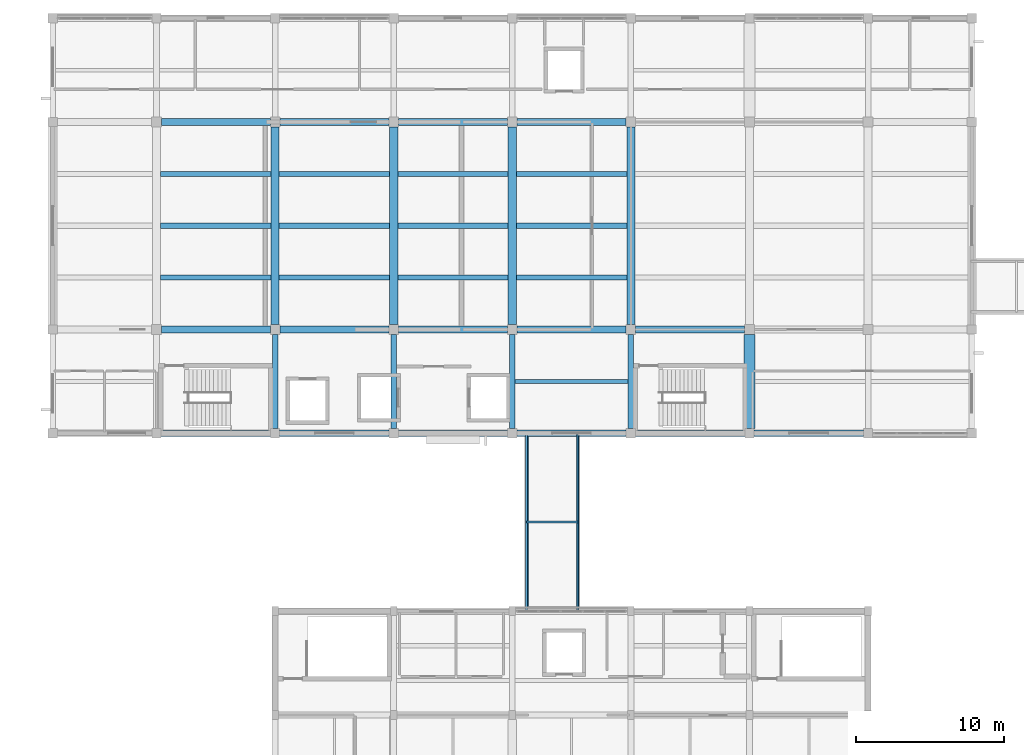
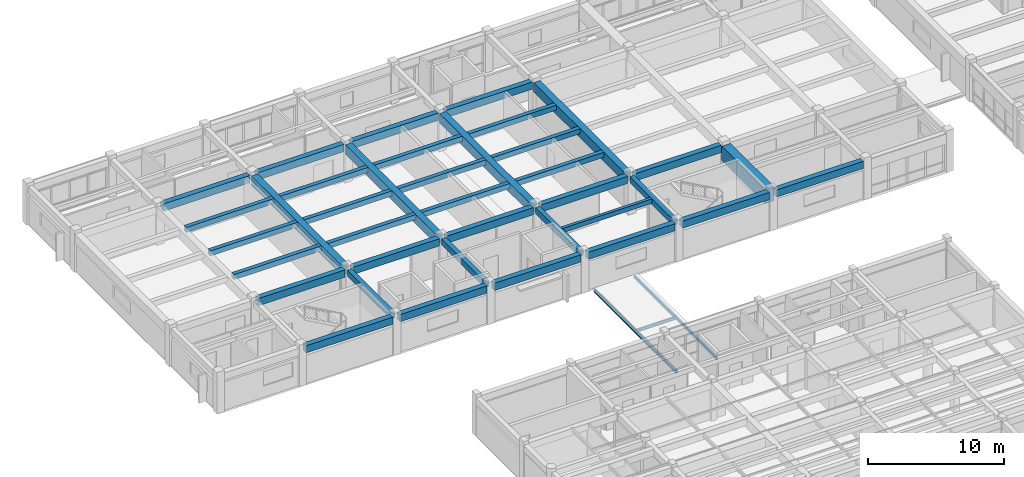
# One storey, part 8 of 33: 40 beams, 2 members.
"""IFC4 building model written with IfcOpenShell, lengths in metres."""

from ifc_helpers import new_model, si_unit, direction, frame, origin, origin_2d, place, context, subcontext, project, spatial, rectangle, hollow_rectangle, i_section, extrude, material, material_profile, profile_set, type_object, element, save


model = new_model("IFC4")

# Units and contexts
model_context = context("Model", 3, precision=1e-05, world=origin(), true_north=direction((0.0, 1.0)))
body_context = subcontext(model_context, "Body", "Model", "MODEL_VIEW")
ifc_project = project(units=[si_unit("LENGTHUNIT", "METRE"), si_unit("AREAUNIT", "SQUARE_METRE"), si_unit("VOLUMEUNIT", "CUBIC_METRE"), si_unit("PLANEANGLEUNIT", "RADIAN"), si_unit("MASSUNIT", "GRAM", prefix="KILO")], contexts=[model_context])

# Site, building, storey
site_placement = place(None, origin())
site = spatial("IfcSite", under=ifc_project, at=site_placement, CompositionType="ELEMENT")
building_placement = place(site_placement, origin())
building = spatial("IfcBuilding", under=site, at=building_placement, Name="Naurynzar Civic Courthouse", CompositionType="ELEMENT")
storey_placement = place(building_placement, frame((0.0, 0.0, 22.050048828125)))
storey = spatial("IfcBuildingStorey", under=building, at=storey_placement, Name="L06", CompositionType="ELEMENT", Elevation=22.050048828125)

# Beams
ifc_material_1 = material(Name="Concrete C40/50", Category="concrete")
ifc_material_profile_1 = material_profile(ifc_material_1, rectangle(XDim=0.25, YDim=0.39990234375, at=origin_2d()), Name="RCB 250x400")
ifc_profile_set_1 = profile_set([ifc_material_profile_1], Name="Concrete C40/50")
beam_type_1 = type_object("IfcBeamType", Name="BM-JST-250x400", PredefinedType="JOIST", material=ifc_profile_set_1)
beam_1_placement = place(storey_placement, frame((93.1875, 47.5, 3.22998046875), z_axis=(1.0, 0.0, 0.0), x_axis=(0.0, 1.0, 0.0)))
element("IfcBeam", 1, at=beam_1_placement, inside=storey, type_object=beam_type_1, Name="V2 secondary rib 896 L06", PredefinedType="JOIST", context=body_context, shape_type="SweptSolid", body=[
    extrude(rectangle(XDim=0.25, YDim=0.39990234375, at=origin_2d()), origin(), (0.0, 0.0, 1.0), 7.625),
])
ifc_material_2 = material(Name="Concrete C40/50", Category="concrete")
ifc_material_profile_2 = material_profile(ifc_material_2, rectangle(XDim=0.550048828125, YDim=0.85009765625, at=origin_2d()), Name="PTB 550x850")
ifc_profile_set_2 = profile_set([ifc_material_profile_2], Name="Concrete C40/50")
beam_type_2 = type_object("IfcBeamType", Name="BM-PT-550x850", PredefinedType="T_BEAM", material=ifc_profile_set_2)
for number, where, z_axis, x_axis, name in (
    (2, (77.0, 51.324951171875, 3.0048828125), (0.0, 1.0, 0.0), (-1.0, 0.0, 0.0), "V2 girder Y-875 L06"),
    (3, (85.0, 51.324951171875, 3.0048828125), (0.0, 1.0, 0.0), (-1.0, 0.0, 0.0), "V2 girder Y-878 L06"),
    (4, (93.0, 51.324951171875, 3.0048828125), (0.0, 1.0, 0.0), (-1.0, 0.0, 0.0), "V2 girder Y-881 L06"),
    (5, (101.0, 51.324951171875, 3.0048828125), (0.0, 1.0, 0.0), (-1.0, 0.0, 0.0), "V2 girder Y-884 L06"),
):
    element("IfcBeam", number, at=place(storey_placement, frame(where, z_axis=z_axis, x_axis=x_axis)), inside=storey, type_object=beam_type_2, Name=name, PredefinedType="T_BEAM", context=body_context, shape_type="SweptSolid", body=[
        extrude(rectangle(XDim=0.550048828125, YDim=0.85009765625, at=origin_2d()), origin(), (0.0, 0.0, 1.0), 13.35009765625),
    ])
ifc_material_3 = material(Name="Concrete C40/50", Category="concrete")
ifc_material_profile_3 = material_profile(ifc_material_3, rectangle(XDim=0.35009765625, YDim=0.449951171875, at=origin_2d()), Name="RCB 350x450")
ifc_profile_set_3 = profile_set([ifc_material_profile_3], Name="Concrete C40/50")
beam_type_3 = type_object("IfcBeamType", Name="BM-RC-350x450", PredefinedType="BEAM", material=ifc_profile_set_3)
for number, where, z_axis, x_axis, name in (
    (6, (69.27490234375, 54.5, 3.204833984375), (1.0, 0.0, 0.0), (0.0, 1.0, 0.0), "V2 secondary rib 902 L06"),
    (7, (69.27490234375, 58.0, 3.204833984375), (1.0, 0.0, 0.0), (0.0, 1.0, 0.0), "V2 secondary rib 903 L06"),
    (8, (69.27490234375, 61.5, 3.204833984375), (1.0, 0.0, 0.0), (0.0, 1.0, 0.0), "V2 secondary rib 904 L06"),
    (9, (77.27490234375, 54.5, 3.204833984375), (1.0, 0.0, 0.0), (0.0, 1.0, 0.0), "V2 secondary rib 905 L06"),
    (10, (77.27490234375, 58.0, 3.204833984375), (1.0, 0.0, 0.0), (0.0, 1.0, 0.0), "V2 secondary rib 906 L06"),
    (11, (77.27490234375, 61.5, 3.204833984375), (1.0, 0.0, 0.0), (0.0, 1.0, 0.0), "V2 secondary rib 907 L06"),
    (12, (85.27490234375, 54.5, 3.204833984375), (1.0, 0.0, 0.0), (0.0, 1.0, 0.0), "V2 secondary rib 908 L06"),
    (13, (85.27490234375, 58.0, 3.204833984375), (1.0, 0.0, 0.0), (0.0, 1.0, 0.0), "V2 secondary rib 909 L06"),
    (14, (85.27490234375, 61.5, 3.204833984375), (1.0, 0.0, 0.0), (0.0, 1.0, 0.0), "V2 secondary rib 910 L06"),
    (15, (93.27490234375, 54.5, 3.204833984375), (1.0, 0.0, 0.0), (0.0, 1.0, 0.0), "V2 secondary rib 911 L06"),
    (16, (93.27490234375, 58.0, 3.204833984375), (1.0, 0.0, 0.0), (0.0, 1.0, 0.0), "V2 secondary rib 912 L06"),
    (17, (93.27490234375, 61.5, 3.204833984375), (1.0, 0.0, 0.0), (0.0, 1.0, 0.0), "V2 secondary rib 913 L06"),
):
    element("IfcBeam", number, at=place(storey_placement, frame(where, z_axis=z_axis, x_axis=x_axis)), inside=storey, type_object=beam_type_3, Name=name, PredefinedType="BEAM", context=body_context, shape_type="SweptSolid", body=[
        extrude(rectangle(XDim=0.35009765625, YDim=0.449951171875, at=origin_2d()), origin(), (0.0, 0.0, 1.0), 7.4501953125),
    ])
ifc_material_4 = material(Name="Concrete C40/50", Category="concrete")
ifc_material_profile_4 = material_profile(ifc_material_4, rectangle(XDim=0.375, YDim=0.550048828125, at=origin_2d()), Name="RCB 375x550")
ifc_profile_set_4 = profile_set([ifc_material_profile_4], Name="Concrete C40/50")
beam_type_4 = type_object("IfcBeamType", Name="BM-RC-375x550", PredefinedType="BEAM", material=ifc_profile_set_4)
for number, where, z_axis, x_axis, name in (
    (18, (77.0, 44.3125, 3.155029296875), (0.0, 1.0, 0.0), (-1.0, 0.0, 0.0), "V2 girder Y-874 L06"),
    (19, (85.0, 44.3125, 3.155029296875), (0.0, 1.0, 0.0), (-1.0, 0.0, 0.0), "V2 girder Y-877 L06"),
    (20, (93.0, 44.3125, 3.155029296875), (0.0, 1.0, 0.0), (-1.0, 0.0, 0.0), "V2 girder Y-880 L06"),
    (21, (101.0, 44.3125, 3.155029296875), (0.0, 1.0, 0.0), (-1.0, 0.0, 0.0), "V2 girder Y-883 L06"),
):
    element("IfcBeam", number, at=place(storey_placement, frame(where, z_axis=z_axis, x_axis=x_axis)), inside=storey, type_object=beam_type_4, Name=name, PredefinedType="BEAM", context=body_context, shape_type="SweptSolid", body=[
        extrude(rectangle(XDim=0.375, YDim=0.550048828125, at=origin_2d()), origin(), (0.0, 0.0, 1.0), 6.362548828125),
    ])
ifc_material_5 = material(Name="Concrete C40/50", Category="concrete")
ifc_material_profile_5 = material_profile(ifc_material_5, rectangle(XDim=0.449951171875, YDim=0.64990234375, at=origin_2d()), Name="RCB 450x650")
ifc_profile_set_5 = profile_set([ifc_material_profile_5], Name="Concrete C40/50")
beam_type_5 = type_object("IfcBeamType", Name="BM-RC-450x650", PredefinedType="BEAM", material=ifc_profile_set_5)
for number, where, z_axis, x_axis, name in (
    (22, (69.3125, 44.0, 3.10498046875), (1.0, 0.0, 0.0), (0.0, 1.0, 0.0), "V2 beam X-837 L06"),
    (23, (77.3125, 44.0, 3.10498046875), (1.0, 0.0, 0.0), (0.0, 1.0, 0.0), "V2 beam X-838 L06"),
    (24, (85.3125, 44.0, 3.10498046875), (1.0, 0.0, 0.0), (0.0, 1.0, 0.0), "V2 beam X-839 L06"),
    (25, (93.3125, 44.0, 3.10498046875), (1.0, 0.0, 0.0), (0.0, 1.0, 0.0), "V2 beam X-840 L06"),
    (26, (101.3125, 44.0, 3.10498046875), (1.0, 0.0, 0.0), (0.0, 1.0, 0.0), "V2 beam X-841 L06"),
    (27, (109.3125, 44.0, 3.10498046875), (1.0, 0.0, 0.0), (0.0, 1.0, 0.0), "V2 beam X-842 L06"),
):
    element("IfcBeam", number, at=place(storey_placement, frame(where, z_axis=z_axis, x_axis=x_axis)), inside=storey, type_object=beam_type_5, Name=name, PredefinedType="BEAM", context=body_context, shape_type="SweptSolid", body=[
        extrude(rectangle(XDim=0.449951171875, YDim=0.64990234375, at=origin_2d()), origin(), (0.0, 0.0, 1.0), 7.375),
    ])
for number, where, z_axis, x_axis, name in (
    (28, (69.324951171875, 51.0, 3.10498046875), (1.0, 0.0, 0.0), (0.0, 1.0, 0.0), "V2 beam X-845 L06"),
    (29, (77.324951171875, 51.0, 3.10498046875), (1.0, 0.0, 0.0), (0.0, 1.0, 0.0), "V2 beam X-846 L06"),
    (30, (85.324951171875, 51.0, 3.10498046875), (1.0, 0.0, 0.0), (0.0, 1.0, 0.0), "V2 beam X-847 L06"),
    (31, (93.324951171875, 51.0, 3.10498046875), (1.0, 0.0, 0.0), (0.0, 1.0, 0.0), "V2 beam X-848 L06"),
    (32, (101.324951171875, 51.0, 3.10498046875), (1.0, 0.0, 0.0), (0.0, 1.0, 0.0), "V2 beam X-849 L06"),
    (33, (69.324951171875, 65.0, 3.10498046875), (1.0, 0.0, 0.0), (0.0, 1.0, 0.0), "V2 beam X-853 L06"),
    (34, (77.324951171875, 65.0, 3.10498046875), (1.0, 0.0, 0.0), (0.0, 1.0, 0.0), "V2 beam X-854 L06"),
    (35, (85.324951171875, 65.0, 3.10498046875), (1.0, 0.0, 0.0), (0.0, 1.0, 0.0), "V2 beam X-855 L06"),
    (36, (93.324951171875, 65.0, 3.10498046875), (1.0, 0.0, 0.0), (0.0, 1.0, 0.0), "V2 beam X-856 L06"),
):
    element("IfcBeam", number, at=place(storey_placement, frame(where, z_axis=z_axis, x_axis=x_axis)), inside=storey, type_object=beam_type_5, Name=name, PredefinedType="BEAM", context=body_context, shape_type="SweptSolid", body=[
        extrude(rectangle(XDim=0.449951171875, YDim=0.64990234375, at=origin_2d()), origin(), (0.0, 0.0, 1.0), 7.35009765625),
    ])
ifc_material_6 = material(Name="Steel S355", Category="steel")
ifc_material_profile_6 = material_profile(ifc_material_6, i_section(OverallWidth=0.135009765625, OverallDepth=0.27001953125, WebThickness=0.006591796875, FlangeThickness=0.01025390625, FilletRadius=0.014892578125, at=origin_2d()), Name="IPE 270")
ifc_profile_set_6 = profile_set([ifc_material_profile_6], Name="Steel S355")
beam_type_6 = type_object("IfcBeamType", Name="BM-STL-IPE270", PredefinedType="BEAM", material=ifc_profile_set_6)
for number, where, z_axis, x_axis, name in (
    (37, (93.969970703125, 31.949951171875, -0.364990234375), (0.0, 1.0, 0.0), (-1.0, 0.0, 0.0), "BR-C1 roof edge beam 1"),
    (38, (97.429931640625, 31.949951171875, -0.364990234375), (0.0, 1.0, 0.0), (-1.0, 0.0, 0.0), "BR-C1 roof edge beam 2"),
):
    element("IfcBeam", number, at=place(storey_placement, frame(where, z_axis=z_axis, x_axis=x_axis)), inside=storey, type_object=beam_type_6, Name=name, PredefinedType="BEAM", context=body_context, shape_type="SweptSolid", body=[
        extrude(i_section(OverallWidth=0.135009765625, OverallDepth=0.27001953125, WebThickness=0.006591796875, FlangeThickness=0.01025390625, FilletRadius=0.014892578125, at=origin_2d()), origin(), (0.0, 0.0, 1.0), 12.10009765625),
    ])
beam_2_placement = place(storey_placement, frame((93.969970703125, 38.0, -0.364990234375), z_axis=(1.0, 0.0, 0.0), x_axis=(0.0, 1.0, 0.0)))
element("IfcBeam", 39, at=beam_2_placement, inside=storey, type_object=beam_type_6, Name="BR-C1 roof cross-beam 1", PredefinedType="BEAM", context=body_context, shape_type="SweptSolid", body=[
    extrude(i_section(OverallWidth=0.135009765625, OverallDepth=0.27001953125, WebThickness=0.006591796875, FlangeThickness=0.01025390625, FilletRadius=0.014892578125, at=origin_2d()), origin(), (0.0, 0.0, 1.0), 3.4599609375),
])
ifc_material_7 = material(Name="Concrete C40/50", Category="concrete")
ifc_material_profile_7 = material_profile(ifc_material_7, rectangle(XDim=0.75, YDim=1.300048828125, at=origin_2d()), Name="RCT 750x1300")
ifc_profile_set_7 = profile_set([ifc_material_profile_7], Name="Concrete C40/50")
beam_type_7 = type_object("IfcBeamType", Name="BM-TR-750x1300", PredefinedType="SPANDREL", material=ifc_profile_set_7)
beam_3_placement = place(storey_placement, frame((109.0, 44.3125, 2.780029296875), z_axis=(0.0, 1.0, 0.0), x_axis=(-1.0, 0.0, 0.0)))
element("IfcBeam", 40, at=beam_3_placement, inside=storey, type_object=beam_type_7, Name="Transfer Girder TG-01", PredefinedType="SPANDREL", context=body_context, shape_type="SweptSolid", body=[
    extrude(rectangle(XDim=0.75, YDim=1.300048828125, at=origin_2d()), origin(), (0.0, 0.0, 1.0), 6.362548828125),
])

# Members
ifc_material_8 = material(Name="Steel S355", Category="steel")
ifc_material_profile_8 = material_profile(ifc_material_8, hollow_rectangle(XDim=0.1201171875, YDim=0.199951171875, WallThickness=0.008056640625, InnerFilletRadius=0.008056640625, OuterFilletRadius=0.01611328125, at=origin_2d()), Name="RHS 200x120x8")
ifc_profile_set_8 = profile_set([ifc_material_profile_8], Name="Steel S355")
member_type_1 = type_object("IfcMemberType", Name="MEM-CHORD-RHS200", PredefinedType="CHORD", material=ifc_profile_set_8)
member_1_placement = place(storey_placement, frame((97.3798828125, 31.949951171875, -0.35498046875), z_axis=(0.0, 1.0, 0.0), x_axis=(-1.0, 0.0, 0.0)))
element("IfcMember", 41, at=member_1_placement, inside=storey, type_object=member_type_1, Name="BR-C1 roof chord 2", PredefinedType="CHORD", context=body_context, shape_type="SweptSolid", body=[
    extrude(hollow_rectangle(XDim=0.1201171875, YDim=0.199951171875, WallThickness=0.008056640625, InnerFilletRadius=0.008056640625, OuterFilletRadius=0.01611328125, at=origin_2d()), origin(), (0.0, 0.0, 1.0), 12.10009765625),
])
ifc_material_9 = material(Name="Steel S355", Category="steel")
ifc_material_profile_9 = material_profile(ifc_material_9, hollow_rectangle(XDim=0.14990234375, YDim=0.25, WallThickness=0.010009765625, InnerFilletRadius=0.010009765625, OuterFilletRadius=0.02001953125, at=origin_2d()), Name="RHS 250x150x10")
ifc_profile_set_9 = profile_set([ifc_material_profile_9], Name="Steel S355")
member_type_2 = type_object("IfcMemberType", Name="MEM-CHORD-RHS250", PredefinedType="CHORD", material=ifc_profile_set_9)
member_2_placement = place(storey_placement, frame((94.02001953125, 31.949951171875, -0.35498046875), z_axis=(0.0, 1.0, 0.0), x_axis=(-1.0, 0.0, 0.0)))
element("IfcMember", 42, at=member_2_placement, inside=storey, type_object=member_type_2, Name="BR-C1 roof chord 1", PredefinedType="CHORD", context=body_context, shape_type="SweptSolid", body=[
    extrude(hollow_rectangle(XDim=0.14990234375, YDim=0.25, WallThickness=0.010009765625, InnerFilletRadius=0.010009765625, OuterFilletRadius=0.02001953125, at=origin_2d()), origin(), (0.0, 0.0, 1.0), 12.10009765625),
])

save(model, "model.ifc")
